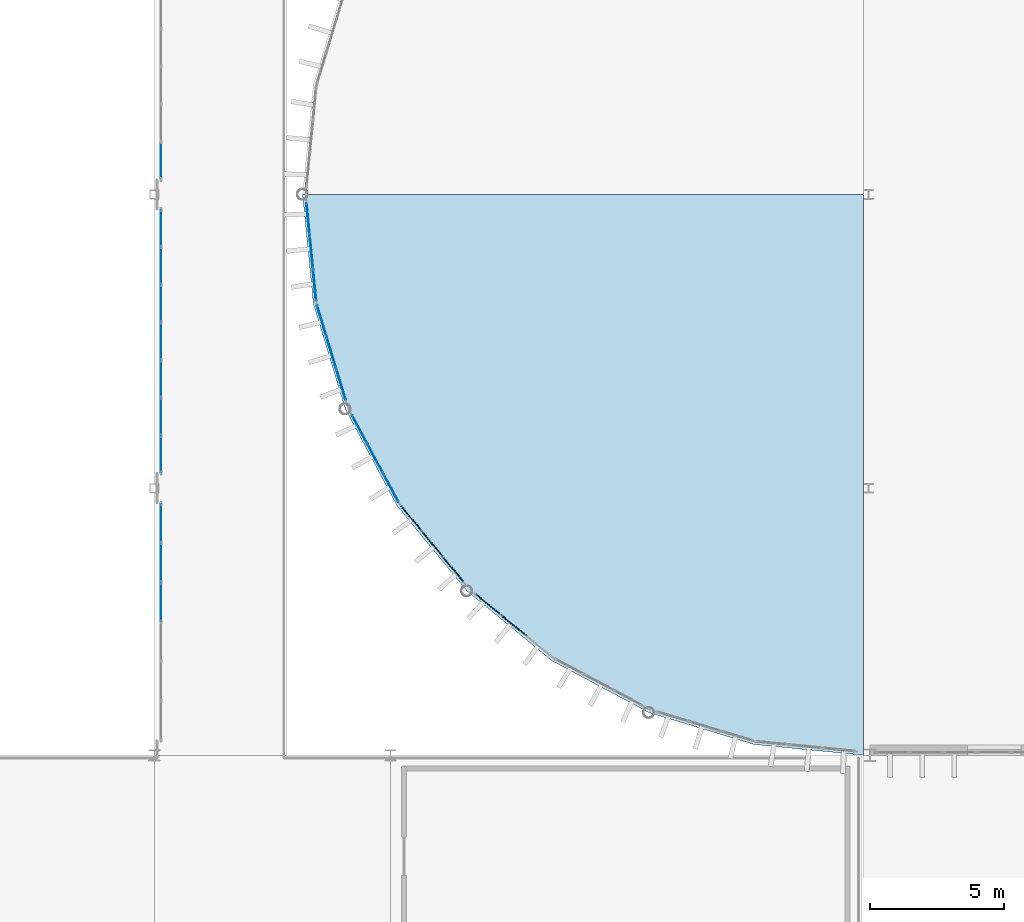
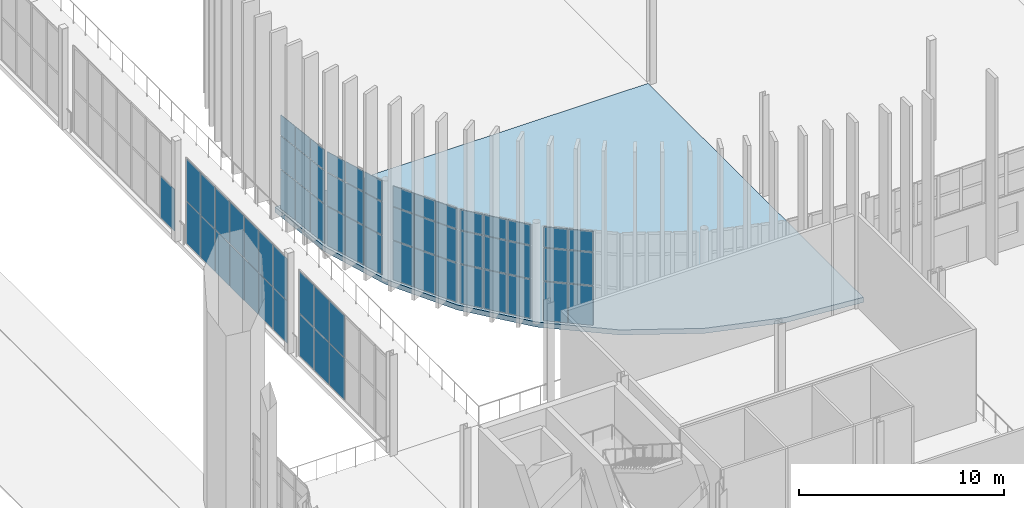
# One storey, part 75 of 139: 63 plates, 1 slab, 8 elements without a shape of their own.
"""IFC4 building model written with IfcOpenShell, lengths in metres."""

import ifcopenshell
import ifcopenshell.guid

model = None  # the IFC model being written
_history = None  # IfcOwnerHistory: only IFC2X3 demands one
_inside = {}  # id of a spatial element -> (the spatial element, [elements in it])
_under = {}  # id of a project, library or spatial element -> (it, [spatial elements below it])
_declared = {}  # id of a project -> (the project, [libraries it declares])
_typed = {}  # id of a type object -> (the type object, [elements of that type])
_made_of = {}  # id of a material, layer set ... -> (it, [elements and type objects made of it])


def new_model(schema):
    """Start an empty IFC model of exactly this schema.

    Asked for "IFC4X3", IfcOpenShell would pick the latest addendum, in which some entities
    have other attributes; the version numbers below select the first issue.
    IFC2X3 requires an IfcOwnerHistory on every rooted entity: one is made here for all.
    """
    global model, _history
    if schema == "IFC4X3":
        model = ifcopenshell.file(schema_version=(4, 3, 0, 0))
    else:
        model = ifcopenshell.file(schema=schema)
    _inside.clear()
    _under.clear()
    _declared.clear()
    _typed.clear()
    _made_of.clear()
    _history = None
    if model.schema == "IFC2X3":
        org = make("IfcOrganization", Name="unknown")
        user = make(
            "IfcPersonAndOrganization",
            ThePerson=make("IfcPerson", FamilyName="unknown"),
            TheOrganization=org,
        )
        app = make(
            "IfcApplication",
            ApplicationDeveloper=org,
            Version="unknown",
            ApplicationFullName="unknown",
            ApplicationIdentifier="unknown",
        )
        _history = make(
            "IfcOwnerHistory",
            OwningUser=user,
            OwningApplication=app,
            ChangeAction="ADDED",
            CreationDate=0,
        )
    return model


def make(cls, **values):
    """One entity of the class cls with the attributes given. An attribute that is None is left unset."""
    return model.create_entity(
        cls, **{name: value for name, value in values.items() if value is not None}
    )


def rooted(cls, **values):
    """An entity with a GlobalId (a new one), such as an element, a storey or a relation."""
    return make(cls, GlobalId=ifcopenshell.guid.new(), OwnerHistory=_history, **values)


def si_unit(unit_type, name, prefix=None):
    """IfcSIUnit, for example si_unit("LENGTHUNIT", "METRE", prefix="MILLI")."""
    return make("IfcSIUnit", UnitType=unit_type, Prefix=prefix, Name=name)


def assignment(units):
    """IfcUnitAssignment: the units of a project."""
    return None if units is None else make("IfcUnitAssignment", Units=units)


def point(xyz):
    """IfcCartesianPoint."""
    return None if xyz is None else make("IfcCartesianPoint", Coordinates=xyz)


def direction(xyz):
    """IfcDirection."""
    return None if xyz is None else make("IfcDirection", DirectionRatios=xyz)


def frame(location, z_axis=None, x_axis=None):
    """IfcAxis2Placement3D, a coordinate frame: its origin and axes. An axis left out is left unset."""
    return make(
        "IfcAxis2Placement3D",
        Location=point(location),
        Axis=direction(z_axis),
        RefDirection=direction(x_axis),
    )


def frame_2d(location, x_axis=None):
    """IfcAxis2Placement2D, a coordinate frame in the plane: its origin and x axis."""
    return make(
        "IfcAxis2Placement2D", Location=point(location), RefDirection=direction(x_axis)
    )


def origin():
    """The frame at (0, 0, 0) with its axes left unset."""
    return frame((0.0, 0.0, 0.0))


def origin_2d():
    """The frame at (0, 0) in the plane with its x axis left unset."""
    return frame_2d((0.0, 0.0))


def place(relative_to, where):
    """IfcLocalPlacement: puts the frame where relative to a parent placement (None: the world)."""
    return make(
        "IfcLocalPlacement", PlacementRelTo=relative_to, RelativePlacement=where
    )


def context(
    kind, dimensions, precision=None, world=None, true_north=None, identifier=None
):
    """IfcGeometricRepresentationContext, for example the 3D "Model" context."""
    return make(
        "IfcGeometricRepresentationContext",
        ContextIdentifier=identifier,
        ContextType=kind,
        CoordinateSpaceDimension=dimensions,
        Precision=precision,
        WorldCoordinateSystem=world,
        TrueNorth=true_north,
    )


def subcontext(parent, identifier, kind, view, scale=None):
    """IfcGeometricRepresentationSubContext, for example "Body" below "Model"."""
    return make(
        "IfcGeometricRepresentationSubContext",
        ContextIdentifier=identifier,
        ContextType=kind,
        ParentContext=parent,
        TargetScale=scale,
        TargetView=view,
    )


def project(units=None, contexts=None):
    """IfcProject with its units and contexts."""
    return rooted(
        "IfcProject",
        Name="project",
        RepresentationContexts=contexts,
        UnitsInContext=assignment(units),
    )


def spatial(cls, under=None, at=None, **own):
    """A site, building, storey or space (cls), placed at a placement, below another one or the project."""
    s = rooted(cls, ObjectPlacement=at, **own)
    if under is not None:
        _under.setdefault(under.id(), (under, []))[1].append(s)
    return s


def polyline(points):
    """IfcPolyline through the points."""
    return make("IfcPolyline", Points=[point(p) for p in points])


def profile(cls, at=None, kind="AREA", **sizes):
    """A parametric profile (cls). Its sizes go by their IFC names, for example OverallWidth=200.0."""
    return make(cls, ProfileType=kind, Position=at, **sizes)


def rectangle(**sizes):
    """IfcRectangleProfileDef."""
    return profile("IfcRectangleProfileDef", **sizes)


def outline(outer, holes=None, kind="AREA"):
    """IfcArbitraryClosedProfileDef: a profile drawn as a closed curve; with holes, ...WithVoids."""
    if holes is None:
        return make("IfcArbitraryClosedProfileDef", ProfileType=kind, OuterCurve=outer)
    return make(
        "IfcArbitraryProfileDefWithVoids",
        ProfileType=kind,
        OuterCurve=outer,
        InnerCurves=holes,
    )


def extrude(swept, where, along, depth):
    """IfcExtrudedAreaSolid: the profile swept, set in the frame where, extruded along a direction by depth."""
    return make(
        "IfcExtrudedAreaSolid",
        SweptArea=swept,
        Position=where,
        ExtrudedDirection=direction(along),
        Depth=depth,
    )


def shape(context_of_items, identifier, shape_type, items):
    """IfcShapeRepresentation: the items that make up one representation, for example the "Body"."""
    return make(
        "IfcShapeRepresentation",
        ContextOfItems=context_of_items,
        RepresentationIdentifier=identifier,
        RepresentationType=shape_type,
        Items=items,
    )


def material(Name=None, Category=None):
    """IfcMaterial."""
    return make("IfcMaterial", Name=Name, Category=Category)


def layer(
    of_material, thickness, ventilated=None, Name=None, Category=None, Priority=None
):
    """IfcMaterialLayer: one layer of a wall or slab, of a material (None: an air gap)."""
    return make(
        "IfcMaterialLayer",
        Material=of_material,
        LayerThickness=thickness,
        IsVentilated=ventilated,
        Name=Name,
        Category=Category,
        Priority=Priority,
    )


def layer_set(layers, Name=None):
    """IfcMaterialLayerSet."""
    return make("IfcMaterialLayerSet", MaterialLayers=layers, LayerSetName=Name)


def made_of(thing, what):
    """Note that an element or type object is made of a material, layer set ...; save() writes the relation."""
    if what is not None:
        _made_of.setdefault(what.id(), (what, []))[1].append(thing)
    return thing


def type_object(cls, material=None, **own):
    """A type object (cls), such as IfcWallType, which elements share."""
    return made_of(rooted(cls, **own), material)


def element(
    cls,
    number,
    at=None,
    inside=None,
    cuts=None,
    type_object=None,
    material=None,
    context=None,
    identifier="Body",
    shape_type=None,
    held_by="IfcProductDefinitionShape",
    body=None,
    shapes=None,
    **own,
):
    """One element of the class cls, such as IfcWall. Its Tag is "e" and its number.

    at: its placement. inside: the storey or other place that contains it. cuts: it is an
    opening in that element (IfcRelVoidsElement). A single representation is given by context,
    identifier, shape_type and body (its items); several are given by shapes. held_by: the class
    of the entity that holds the representations. save() writes the other relations.
    """
    e = rooted(cls, Tag="e%d" % number, ObjectPlacement=at, **own)
    if body is not None:
        shapes = [shape(context, identifier, shape_type, body)]
    if shapes is not None:
        e.Representation = make(held_by, Representations=shapes)
    if inside is not None:
        _inside.setdefault(inside.id(), (inside, []))[1].append(e)
    if cuts is not None:
        rooted(
            "IfcRelVoidsElement", RelatingBuildingElement=cuts, RelatedOpeningElement=e
        )
    if type_object is not None:
        _typed.setdefault(type_object.id(), (type_object, []))[1].append(e)
    return made_of(e, material)


def aggregate(whole, parts):
    """IfcRelAggregates: a whole, such as a stair, and the parts it consists of."""
    return rooted("IfcRelAggregates", RelatingObject=whole, RelatedObjects=parts)


def save(model, path):
    """Write the relations noted so far, then the file.

    IfcRelAggregates (storeys below a building ...), IfcRelContainedInSpatialStructure (elements
    in a storey), IfcRelDefinesByType, IfcRelAssociatesMaterial and IfcRelDeclares: one each for
    every whole, place, type object, material and project.
    """
    for whole, parts in _under.values():
        aggregate(whole, parts)
    for where, things in _inside.values():
        rooted(
            "IfcRelContainedInSpatialStructure",
            RelatedElements=things,
            RelatingStructure=where,
        )
    for kind, things in _typed.values():
        rooted("IfcRelDefinesByType", RelatedObjects=things, RelatingType=kind)
    for what, things in _made_of.values():
        rooted("IfcRelAssociatesMaterial", RelatedObjects=things, RelatingMaterial=what)
    for by, libraries in _declared.values():
        rooted("IfcRelDeclares", RelatingContext=by, RelatedDefinitions=libraries)
    model.write(path)


model = new_model("IFC4")

# Units and contexts
model_context = context("Model", 3, precision=1e-05, world=origin(), true_north=direction((0.0, 1.0)))
body_context = subcontext(model_context, "Body", "Model", "MODEL_VIEW")
ifc_project = project(units=[si_unit("LENGTHUNIT", "METRE"), si_unit("AREAUNIT", "SQUARE_METRE"), si_unit("VOLUMEUNIT", "CUBIC_METRE"), si_unit("PLANEANGLEUNIT", "RADIAN"), si_unit("MASSUNIT", "GRAM", prefix="KILO")], contexts=[model_context])

# Site, building, storey
site_placement = place(None, origin())
site = spatial("IfcSite", under=ifc_project, at=site_placement, CompositionType="ELEMENT")
building_placement = place(site_placement, origin())
building = spatial("IfcBuilding", under=site, at=building_placement, Name="Yeouljin Market Hall", CompositionType="ELEMENT")
storey_placement = place(building_placement, origin())
storey = spatial("IfcBuildingStorey", under=building, at=storey_placement, Name="L00", CompositionType="ELEMENT", Elevation=0.0)

# Curtain wall, plates
ifc_material_1 = material(Name="Thermally Broken Aluminium", Category="aluminium")
ifc_layer_1 = layer(ifc_material_1, 0.179931640625)
ifc_layer_set_1 = layer_set([ifc_layer_1], Name="Thermally Broken Aluminium")
curtain_wall_type_1 = type_object("IfcCurtainWallType", Name="CW_ApseCurved_System", PredefinedType="USERDEFINED", material=ifc_layer_set_1)
curtain_wall_1_placement = place(storey_placement, origin())
curtain_wall_1 = element("IfcCurtainWall", 1, at=curtain_wall_1_placement, inside=storey, type_object=curtain_wall_type_1, Name="Curtain wall CW-AP-WL00-04", ObjectType="CURTAIN WALL", PredefinedType="USERDEFINED")
ifc_material_2 = material(Name="Low-E Insulated Glass", Category="glass")
ifc_layer_2 = layer(ifc_material_2, 0.031982421875)
ifc_layer_set_2 = layer_set([ifc_layer_2], Name="Low-E Insulated Glass")
plate_type_1 = type_object("IfcPlateType", Name="CWPanel_AcousticGlass_32", PredefinedType="CURTAIN_PANEL", material=ifc_layer_set_2)
plate_1_placement = place(storey_placement, frame((22.310302734375, 40.861083984375, 0.0478515625), z_axis=(0.0, 0.0, 1.0), x_axis=(-0.773017717982, 0.634384432096, 0.0)))
plate_1 = element("IfcPlate", 2, at=plate_1_placement, type_object=plate_type_1, Name="CW-03 panel 2.1", PredefinedType="CURTAIN_PANEL", context=body_context, shape_type="SweptSolid", body=[
    extrude(rectangle(XDim=1.209716796875, YDim=0.031982421875, at=origin_2d()), origin(), (0.0, 0.0, 1.0), 2.327880859375),
])
plate_2_placement = place(storey_placement, frame((22.310302734375, 40.861083984375, 2.423828125), z_axis=(0.0, 0.0, 1.0), x_axis=(-0.773017717982, 0.634384432096, 0.0)))
plate_2 = element("IfcPlate", 3, at=plate_2_placement, type_object=plate_type_1, Name="CW-03 panel 2.2", PredefinedType="CURTAIN_PANEL", context=body_context, shape_type="SweptSolid", body=[
    extrude(rectangle(XDim=1.209716796875, YDim=0.031982421875, at=origin_2d()), origin(), (0.0, 0.0, 1.0), 1.951904296875),
])
plate_3_placement = place(storey_placement, frame((22.310302734375, 40.861083984375, 4.424072265625), z_axis=(0.0, 0.0, 1.0), x_axis=(-0.773017717982, 0.634384432096, 0.0)))
plate_3 = element("IfcPlate", 4, at=plate_3_placement, type_object=plate_type_1, Name="CW-03 panel 2.3", PredefinedType="CURTAIN_PANEL", context=body_context, shape_type="SweptSolid", body=[
    extrude(rectangle(XDim=1.209716796875, YDim=0.031982421875, at=origin_2d()), origin(), (0.0, 0.0, 1.0), 1.2080078125),
])
plate_4_placement = place(storey_placement, frame((21.347412109375, 41.6513671875, 0.0478515625), z_axis=(0.0, 0.0, 1.0), x_axis=(-0.773017717982, 0.634384432096, 0.0)))
plate_4 = element("IfcPlate", 5, at=plate_4_placement, type_object=plate_type_1, Name="CW-03 panel 3.1", PredefinedType="CURTAIN_PANEL", context=body_context, shape_type="SweptSolid", body=[
    extrude(rectangle(XDim=1.185791015625, YDim=0.031982421875, at=origin_2d()), origin(), (0.0, 0.0, 1.0), 2.327880859375),
])
plate_5_placement = place(storey_placement, frame((21.347412109375, 41.6513671875, 2.423828125), z_axis=(0.0, 0.0, 1.0), x_axis=(-0.773017717982, 0.634384432096, 0.0)))
plate_5 = element("IfcPlate", 6, at=plate_5_placement, type_object=plate_type_1, Name="CW-03 panel 3.2", PredefinedType="CURTAIN_PANEL", context=body_context, shape_type="SweptSolid", body=[
    extrude(rectangle(XDim=1.185791015625, YDim=0.031982421875, at=origin_2d()), origin(), (0.0, 0.0, 1.0), 1.951904296875),
])
plate_6_placement = place(storey_placement, frame((21.347412109375, 41.6513671875, 4.424072265625), z_axis=(0.0, 0.0, 1.0), x_axis=(-0.773017717982, 0.634384432096, 0.0)))
plate_6 = element("IfcPlate", 7, at=plate_6_placement, type_object=plate_type_1, Name="CW-03 panel 3.3", PredefinedType="CURTAIN_PANEL", context=body_context, shape_type="SweptSolid", body=[
    extrude(rectangle(XDim=1.185791015625, YDim=0.031982421875, at=origin_2d()), origin(), (0.0, 0.0, 1.0), 1.2080078125),
])
aggregate(curtain_wall_1, [plate_1, plate_2, plate_3, plate_4, plate_5, plate_6])

curtain_wall_2_placement = place(storey_placement, origin())
curtain_wall_2 = element("IfcCurtainWall", 8, at=curtain_wall_2_placement, inside=storey, type_object=curtain_wall_type_1, Name="Curtain wall CW-AP-WL00-05", ObjectType="CURTAIN WALL", PredefinedType="USERDEFINED")
plate_7_placement = place(storey_placement, frame((20.051513671875, 42.947509765625, 0.0478515625), z_axis=(0.0, 0.0, 1.0), x_axis=(-0.634384432096, 0.773017717982, 0.0)))
plate_7 = element("IfcPlate", 9, at=plate_7_placement, type_object=plate_type_1, Name="CW-03 panel 1.1", PredefinedType="CURTAIN_PANEL", context=body_context, shape_type="SweptSolid", body=[
    extrude(rectangle(XDim=1.185791015625, YDim=0.031982421875, at=origin_2d()), origin(), (0.0, 0.0, 1.0), 2.327880859375),
])
plate_8_placement = place(storey_placement, frame((20.051513671875, 42.947509765625, 2.423828125), z_axis=(0.0, 0.0, 1.0), x_axis=(-0.634384432096, 0.773017717982, 0.0)))
plate_8 = element("IfcPlate", 10, at=plate_8_placement, type_object=plate_type_1, Name="CW-03 panel 1.2", PredefinedType="CURTAIN_PANEL", context=body_context, shape_type="SweptSolid", body=[
    extrude(rectangle(XDim=1.185791015625, YDim=0.031982421875, at=origin_2d()), origin(), (0.0, 0.0, 1.0), 1.951904296875),
])
plate_9_placement = place(storey_placement, frame((20.051513671875, 42.947509765625, 4.424072265625), z_axis=(0.0, 0.0, 1.0), x_axis=(-0.634384432096, 0.773017717982, 0.0)))
plate_9 = element("IfcPlate", 11, at=plate_9_placement, type_object=plate_type_1, Name="CW-03 panel 1.3", PredefinedType="CURTAIN_PANEL", context=body_context, shape_type="SweptSolid", body=[
    extrude(rectangle(XDim=1.185791015625, YDim=0.031982421875, at=origin_2d()), origin(), (0.0, 0.0, 1.0), 1.2080078125),
])
plate_10_placement = place(storey_placement, frame((19.26123046875, 43.910400390625, 0.0478515625), z_axis=(0.0, 0.0, 1.0), x_axis=(-0.634384432096, 0.773017717982, 0.0)))
plate_10 = element("IfcPlate", 12, at=plate_10_placement, type_object=plate_type_1, Name="CW-03 panel 2.1", PredefinedType="CURTAIN_PANEL", context=body_context, shape_type="SweptSolid", body=[
    extrude(rectangle(XDim=1.209716796875, YDim=0.031982421875, at=origin_2d()), origin(), (0.0, 0.0, 1.0), 2.327880859375),
])
plate_11_placement = place(storey_placement, frame((19.26123046875, 43.910400390625, 2.423828125), z_axis=(0.0, 0.0, 1.0), x_axis=(-0.634384432096, 0.773017717982, 0.0)))
plate_11 = element("IfcPlate", 13, at=plate_11_placement, type_object=plate_type_1, Name="CW-03 panel 2.2", PredefinedType="CURTAIN_PANEL", context=body_context, shape_type="SweptSolid", body=[
    extrude(rectangle(XDim=1.209716796875, YDim=0.031982421875, at=origin_2d()), origin(), (0.0, 0.0, 1.0), 1.951904296875),
])
plate_12_placement = place(storey_placement, frame((19.26123046875, 43.910400390625, 4.424072265625), z_axis=(0.0, 0.0, 1.0), x_axis=(-0.634384432096, 0.773017717982, 0.0)))
plate_12 = element("IfcPlate", 14, at=plate_12_placement, type_object=plate_type_1, Name="CW-03 panel 2.3", PredefinedType="CURTAIN_PANEL", context=body_context, shape_type="SweptSolid", body=[
    extrude(rectangle(XDim=1.209716796875, YDim=0.031982421875, at=origin_2d()), origin(), (0.0, 0.0, 1.0), 1.2080078125),
])
plate_13_placement = place(storey_placement, frame((18.470947265625, 44.873291015625, 0.0478515625), z_axis=(0.0, 0.0, 1.0), x_axis=(-0.634384432096, 0.773017717982, 0.0)))
plate_13 = element("IfcPlate", 15, at=plate_13_placement, type_object=plate_type_1, Name="CW-03 panel 3.1", PredefinedType="CURTAIN_PANEL", context=body_context, shape_type="SweptSolid", body=[
    extrude(rectangle(XDim=1.185791015625, YDim=0.031982421875, at=origin_2d()), origin(), (0.0, 0.0, 1.0), 2.327880859375),
])
plate_14_placement = place(storey_placement, frame((18.470947265625, 44.873291015625, 2.423828125), z_axis=(0.0, 0.0, 1.0), x_axis=(-0.634384432096, 0.773017717982, 0.0)))
plate_14 = element("IfcPlate", 16, at=plate_14_placement, type_object=plate_type_1, Name="CW-03 panel 3.2", PredefinedType="CURTAIN_PANEL", context=body_context, shape_type="SweptSolid", body=[
    extrude(rectangle(XDim=1.185791015625, YDim=0.031982421875, at=origin_2d()), origin(), (0.0, 0.0, 1.0), 1.951904296875),
])
plate_15_placement = place(storey_placement, frame((18.470947265625, 44.873291015625, 4.424072265625), z_axis=(0.0, 0.0, 1.0), x_axis=(-0.634384432096, 0.773017717982, 0.0)))
plate_15 = element("IfcPlate", 17, at=plate_15_placement, type_object=plate_type_1, Name="CW-03 panel 3.3", PredefinedType="CURTAIN_PANEL", context=body_context, shape_type="SweptSolid", body=[
    extrude(rectangle(XDim=1.185791015625, YDim=0.031982421875, at=origin_2d()), origin(), (0.0, 0.0, 1.0), 1.2080078125),
])
aggregate(curtain_wall_2, [plate_7, plate_8, plate_9, plate_10, plate_11, plate_12, plate_13, plate_14, plate_15])

curtain_wall_3_placement = place(storey_placement, origin())
curtain_wall_3 = element("IfcCurtainWall", 18, at=curtain_wall_3_placement, inside=storey, type_object=curtain_wall_type_1, Name="Curtain wall CW-AP-WL00-06", ObjectType="CURTAIN WALL", PredefinedType="USERDEFINED")
plate_16_placement = place(storey_placement, frame((17.718017578125, 46.000244140625, 0.0478515625), z_axis=(0.0, 0.0, 1.0), x_axis=(-0.471377626598, 0.881931478712, 0.0)))
plate_16 = element("IfcPlate", 19, at=plate_16_placement, type_object=plate_type_1, Name="CW-03 panel 1.1", PredefinedType="CURTAIN_PANEL", context=body_context, shape_type="SweptSolid", body=[
    extrude(rectangle(XDim=1.185791015625, YDim=0.031982421875, at=origin_2d()), origin(), (0.0, 0.0, 1.0), 2.327880859375),
])
plate_17_placement = place(storey_placement, frame((17.718017578125, 46.000244140625, 2.423828125), z_axis=(0.0, 0.0, 1.0), x_axis=(-0.471377626598, 0.881931478712, 0.0)))
plate_17 = element("IfcPlate", 20, at=plate_17_placement, type_object=plate_type_1, Name="CW-03 panel 1.2", PredefinedType="CURTAIN_PANEL", context=body_context, shape_type="SweptSolid", body=[
    extrude(rectangle(XDim=1.185791015625, YDim=0.031982421875, at=origin_2d()), origin(), (0.0, 0.0, 1.0), 1.951904296875),
])
plate_18_placement = place(storey_placement, frame((17.718017578125, 46.000244140625, 4.424072265625), z_axis=(0.0, 0.0, 1.0), x_axis=(-0.471377626598, 0.881931478712, 0.0)))
plate_18 = element("IfcPlate", 21, at=plate_18_placement, type_object=plate_type_1, Name="CW-03 panel 1.3", PredefinedType="CURTAIN_PANEL", context=body_context, shape_type="SweptSolid", body=[
    extrude(rectangle(XDim=1.185791015625, YDim=0.031982421875, at=origin_2d()), origin(), (0.0, 0.0, 1.0), 1.2080078125),
])
plate_19_placement = place(storey_placement, frame((17.130615234375, 47.098876953125, 0.0478515625), z_axis=(0.0, 0.0, 1.0), x_axis=(-0.471377626598, 0.881931478712, 0.0)))
plate_19 = element("IfcPlate", 22, at=plate_19_placement, type_object=plate_type_1, Name="CW-03 panel 2.1", PredefinedType="CURTAIN_PANEL", context=body_context, shape_type="SweptSolid", body=[
    extrude(rectangle(XDim=1.209716796875, YDim=0.031982421875, at=origin_2d()), origin(), (0.0, 0.0, 1.0), 2.327880859375),
])
plate_20_placement = place(storey_placement, frame((17.130615234375, 47.098876953125, 2.423828125), z_axis=(0.0, 0.0, 1.0), x_axis=(-0.471377626598, 0.881931478712, 0.0)))
plate_20 = element("IfcPlate", 23, at=plate_20_placement, type_object=plate_type_1, Name="CW-03 panel 2.2", PredefinedType="CURTAIN_PANEL", context=body_context, shape_type="SweptSolid", body=[
    extrude(rectangle(XDim=1.209716796875, YDim=0.031982421875, at=origin_2d()), origin(), (0.0, 0.0, 1.0), 1.951904296875),
])
plate_21_placement = place(storey_placement, frame((17.130615234375, 47.098876953125, 4.424072265625), z_axis=(0.0, 0.0, 1.0), x_axis=(-0.471377626598, 0.881931478712, 0.0)))
plate_21 = element("IfcPlate", 24, at=plate_21_placement, type_object=plate_type_1, Name="CW-03 panel 2.3", PredefinedType="CURTAIN_PANEL", context=body_context, shape_type="SweptSolid", body=[
    extrude(rectangle(XDim=1.209716796875, YDim=0.031982421875, at=origin_2d()), origin(), (0.0, 0.0, 1.0), 1.2080078125),
])
plate_22_placement = place(storey_placement, frame((16.54345703125, 48.197509765625, 0.0478515625), z_axis=(0.0, 0.0, 1.0), x_axis=(-0.471377626598, 0.881931478712, 0.0)))
plate_22 = element("IfcPlate", 25, at=plate_22_placement, type_object=plate_type_1, Name="CW-03 panel 3.1", PredefinedType="CURTAIN_PANEL", context=body_context, shape_type="SweptSolid", body=[
    extrude(rectangle(XDim=1.185791015625, YDim=0.031982421875, at=origin_2d()), origin(), (0.0, 0.0, 1.0), 2.327880859375),
])
plate_23_placement = place(storey_placement, frame((16.54345703125, 48.197509765625, 2.423828125), z_axis=(0.0, 0.0, 1.0), x_axis=(-0.471377626598, 0.881931478712, 0.0)))
plate_23 = element("IfcPlate", 26, at=plate_23_placement, type_object=plate_type_1, Name="CW-03 panel 3.2", PredefinedType="CURTAIN_PANEL", context=body_context, shape_type="SweptSolid", body=[
    extrude(rectangle(XDim=1.185791015625, YDim=0.031982421875, at=origin_2d()), origin(), (0.0, 0.0, 1.0), 1.951904296875),
])
plate_24_placement = place(storey_placement, frame((16.54345703125, 48.197509765625, 4.424072265625), z_axis=(0.0, 0.0, 1.0), x_axis=(-0.471377626598, 0.881931478712, 0.0)))
plate_24 = element("IfcPlate", 27, at=plate_24_placement, type_object=plate_type_1, Name="CW-03 panel 3.3", PredefinedType="CURTAIN_PANEL", context=body_context, shape_type="SweptSolid", body=[
    extrude(rectangle(XDim=1.185791015625, YDim=0.031982421875, at=origin_2d()), origin(), (0.0, 0.0, 1.0), 1.2080078125),
])
aggregate(curtain_wall_3, [plate_16, plate_17, plate_18, plate_19, plate_20, plate_21, plate_22, plate_23, plate_24])

curtain_wall_4_placement = place(storey_placement, origin())
curtain_wall_4 = element("IfcCurtainWall", 28, at=curtain_wall_4_placement, inside=storey, type_object=curtain_wall_type_1, Name="Curtain wall CW-AP-WL00-07", ObjectType="CURTAIN WALL", PredefinedType="USERDEFINED")
plate_25_placement = place(storey_placement, frame((15.842041015625, 49.890869140625, 0.0478515625), z_axis=(0.0, 0.0, 1.0), x_axis=(-0.290286164863, 0.95693988447, 0.0)))
plate_25 = element("IfcPlate", 29, at=plate_25_placement, type_object=plate_type_1, Name="CW-03 panel 1.1", PredefinedType="CURTAIN_PANEL", context=body_context, shape_type="SweptSolid", body=[
    extrude(rectangle(XDim=1.185791015625, YDim=0.031982421875, at=origin_2d()), origin(), (0.0, 0.0, 1.0), 2.327880859375),
])
plate_26_placement = place(storey_placement, frame((15.842041015625, 49.890869140625, 2.423828125), z_axis=(0.0, 0.0, 1.0), x_axis=(-0.290286164863, 0.95693988447, 0.0)))
plate_26 = element("IfcPlate", 30, at=plate_26_placement, type_object=plate_type_1, Name="CW-03 panel 1.2", PredefinedType="CURTAIN_PANEL", context=body_context, shape_type="SweptSolid", body=[
    extrude(rectangle(XDim=1.185791015625, YDim=0.031982421875, at=origin_2d()), origin(), (0.0, 0.0, 1.0), 1.951904296875),
])
plate_27_placement = place(storey_placement, frame((15.842041015625, 49.890869140625, 4.424072265625), z_axis=(0.0, 0.0, 1.0), x_axis=(-0.290286164863, 0.95693988447, 0.0)))
plate_27 = element("IfcPlate", 31, at=plate_27_placement, type_object=plate_type_1, Name="CW-03 panel 1.3", PredefinedType="CURTAIN_PANEL", context=body_context, shape_type="SweptSolid", body=[
    extrude(rectangle(XDim=1.185791015625, YDim=0.031982421875, at=origin_2d()), origin(), (0.0, 0.0, 1.0), 1.2080078125),
])
plate_28_placement = place(storey_placement, frame((15.48046875, 51.082763671875, 0.0478515625), z_axis=(0.0, 0.0, 1.0), x_axis=(-0.290286164863, 0.95693988447, 0.0)))
plate_28 = element("IfcPlate", 32, at=plate_28_placement, type_object=plate_type_1, Name="CW-03 panel 2.1", PredefinedType="CURTAIN_PANEL", context=body_context, shape_type="SweptSolid", body=[
    extrude(rectangle(XDim=1.209716796875, YDim=0.031982421875, at=origin_2d()), origin(), (0.0, 0.0, 1.0), 2.327880859375),
])
plate_29_placement = place(storey_placement, frame((15.48046875, 51.082763671875, 2.423828125), z_axis=(0.0, 0.0, 1.0), x_axis=(-0.290286164863, 0.95693988447, 0.0)))
plate_29 = element("IfcPlate", 33, at=plate_29_placement, type_object=plate_type_1, Name="CW-03 panel 2.2", PredefinedType="CURTAIN_PANEL", context=body_context, shape_type="SweptSolid", body=[
    extrude(rectangle(XDim=1.209716796875, YDim=0.031982421875, at=origin_2d()), origin(), (0.0, 0.0, 1.0), 1.951904296875),
])
plate_30_placement = place(storey_placement, frame((15.48046875, 51.082763671875, 4.424072265625), z_axis=(0.0, 0.0, 1.0), x_axis=(-0.290286164863, 0.95693988447, 0.0)))
plate_30 = element("IfcPlate", 34, at=plate_30_placement, type_object=plate_type_1, Name="CW-03 panel 2.3", PredefinedType="CURTAIN_PANEL", context=body_context, shape_type="SweptSolid", body=[
    extrude(rectangle(XDim=1.209716796875, YDim=0.031982421875, at=origin_2d()), origin(), (0.0, 0.0, 1.0), 1.2080078125),
])
plate_31_placement = place(storey_placement, frame((15.118896484375, 52.27490234375, 0.0478515625), z_axis=(0.0, 0.0, 1.0), x_axis=(-0.290286164863, 0.95693988447, 0.0)))
plate_31 = element("IfcPlate", 35, at=plate_31_placement, type_object=plate_type_1, Name="CW-03 panel 3.1", PredefinedType="CURTAIN_PANEL", context=body_context, shape_type="SweptSolid", body=[
    extrude(rectangle(XDim=1.185791015625, YDim=0.031982421875, at=origin_2d()), origin(), (0.0, 0.0, 1.0), 2.327880859375),
])
plate_32_placement = place(storey_placement, frame((15.118896484375, 52.27490234375, 2.423828125), z_axis=(0.0, 0.0, 1.0), x_axis=(-0.290286164863, 0.95693988447, 0.0)))
plate_32 = element("IfcPlate", 36, at=plate_32_placement, type_object=plate_type_1, Name="CW-03 panel 3.2", PredefinedType="CURTAIN_PANEL", context=body_context, shape_type="SweptSolid", body=[
    extrude(rectangle(XDim=1.185791015625, YDim=0.031982421875, at=origin_2d()), origin(), (0.0, 0.0, 1.0), 1.951904296875),
])
plate_33_placement = place(storey_placement, frame((15.118896484375, 52.27490234375, 4.424072265625), z_axis=(0.0, 0.0, 1.0), x_axis=(-0.290286164863, 0.95693988447, 0.0)))
plate_33 = element("IfcPlate", 37, at=plate_33_placement, type_object=plate_type_1, Name="CW-03 panel 3.3", PredefinedType="CURTAIN_PANEL", context=body_context, shape_type="SweptSolid", body=[
    extrude(rectangle(XDim=1.185791015625, YDim=0.031982421875, at=origin_2d()), origin(), (0.0, 0.0, 1.0), 1.2080078125),
])
aggregate(curtain_wall_4, [plate_25, plate_26, plate_27, plate_28, plate_29, plate_30, plate_31, plate_32, plate_33])

curtain_wall_5_placement = place(storey_placement, origin())
curtain_wall_5 = element("IfcCurtainWall", 38, at=curtain_wall_5_placement, inside=storey, type_object=curtain_wall_type_1, Name="Curtain wall CW-AP-WL00-08", ObjectType="CURTAIN WALL", PredefinedType="USERDEFINED")
plate_34_placement = place(storey_placement, frame((14.8544921875, 53.60400390625, 0.0478515625), z_axis=(0.0, 0.0, 1.0), x_axis=(-0.09803414403, 0.995183051807, 0.0)))
plate_34 = element("IfcPlate", 39, at=plate_34_placement, type_object=plate_type_1, Name="CW-03 panel 1.1", PredefinedType="CURTAIN_PANEL", context=body_context, shape_type="SweptSolid", body=[
    extrude(rectangle(XDim=1.185791015625, YDim=0.031982421875, at=origin_2d()), origin(), (0.0, 0.0, 1.0), 2.327880859375),
])
plate_35_placement = place(storey_placement, frame((14.8544921875, 53.60400390625, 2.423828125), z_axis=(0.0, 0.0, 1.0), x_axis=(-0.09803414403, 0.995183051807, 0.0)))
plate_35 = element("IfcPlate", 40, at=plate_35_placement, type_object=plate_type_1, Name="CW-03 panel 1.2", PredefinedType="CURTAIN_PANEL", context=body_context, shape_type="SweptSolid", body=[
    extrude(rectangle(XDim=1.185791015625, YDim=0.031982421875, at=origin_2d()), origin(), (0.0, 0.0, 1.0), 1.951904296875),
])
plate_36_placement = place(storey_placement, frame((14.8544921875, 53.60400390625, 4.424072265625), z_axis=(0.0, 0.0, 1.0), x_axis=(-0.09803414403, 0.995183051807, 0.0)))
plate_36 = element("IfcPlate", 41, at=plate_36_placement, type_object=plate_type_1, Name="CW-03 panel 1.3", PredefinedType="CURTAIN_PANEL", context=body_context, shape_type="SweptSolid", body=[
    extrude(rectangle(XDim=1.185791015625, YDim=0.031982421875, at=origin_2d()), origin(), (0.0, 0.0, 1.0), 1.2080078125),
])
plate_37_placement = place(storey_placement, frame((14.732421875, 54.84375, 0.0478515625), z_axis=(0.0, 0.0, 1.0), x_axis=(-0.09803414403, 0.995183051807, 0.0)))
plate_37 = element("IfcPlate", 42, at=plate_37_placement, type_object=plate_type_1, Name="CW-03 panel 2.1", PredefinedType="CURTAIN_PANEL", context=body_context, shape_type="SweptSolid", body=[
    extrude(rectangle(XDim=1.209716796875, YDim=0.031982421875, at=origin_2d()), origin(), (0.0, 0.0, 1.0), 2.327880859375),
])
plate_38_placement = place(storey_placement, frame((14.732421875, 54.84375, 2.423828125), z_axis=(0.0, 0.0, 1.0), x_axis=(-0.09803414403, 0.995183051807, 0.0)))
plate_38 = element("IfcPlate", 43, at=plate_38_placement, type_object=plate_type_1, Name="CW-03 panel 2.2", PredefinedType="CURTAIN_PANEL", context=body_context, shape_type="SweptSolid", body=[
    extrude(rectangle(XDim=1.209716796875, YDim=0.031982421875, at=origin_2d()), origin(), (0.0, 0.0, 1.0), 1.951904296875),
])
plate_39_placement = place(storey_placement, frame((14.732421875, 54.84375, 4.424072265625), z_axis=(0.0, 0.0, 1.0), x_axis=(-0.09803414403, 0.995183051807, 0.0)))
plate_39 = element("IfcPlate", 44, at=plate_39_placement, type_object=plate_type_1, Name="CW-03 panel 2.3", PredefinedType="CURTAIN_PANEL", context=body_context, shape_type="SweptSolid", body=[
    extrude(rectangle(XDim=1.209716796875, YDim=0.031982421875, at=origin_2d()), origin(), (0.0, 0.0, 1.0), 1.2080078125),
])
plate_40_placement = place(storey_placement, frame((14.610107421875, 56.08349609375, 0.0478515625), z_axis=(0.0, 0.0, 1.0), x_axis=(-0.09803414403, 0.995183051807, 0.0)))
plate_40 = element("IfcPlate", 45, at=plate_40_placement, type_object=plate_type_1, Name="CW-03 panel 3.1", PredefinedType="CURTAIN_PANEL", context=body_context, shape_type="SweptSolid", body=[
    extrude(rectangle(XDim=1.185791015625, YDim=0.031982421875, at=origin_2d()), origin(), (0.0, 0.0, 1.0), 2.327880859375),
])
plate_41_placement = place(storey_placement, frame((14.610107421875, 56.08349609375, 2.423828125), z_axis=(0.0, 0.0, 1.0), x_axis=(-0.09803414403, 0.995183051807, 0.0)))
plate_41 = element("IfcPlate", 46, at=plate_41_placement, type_object=plate_type_1, Name="CW-03 panel 3.2", PredefinedType="CURTAIN_PANEL", context=body_context, shape_type="SweptSolid", body=[
    extrude(rectangle(XDim=1.185791015625, YDim=0.031982421875, at=origin_2d()), origin(), (0.0, 0.0, 1.0), 1.951904296875),
])
plate_42_placement = place(storey_placement, frame((14.610107421875, 56.08349609375, 4.424072265625), z_axis=(0.0, 0.0, 1.0), x_axis=(-0.09803414403, 0.995183051807, 0.0)))
plate_42 = element("IfcPlate", 47, at=plate_42_placement, type_object=plate_type_1, Name="CW-03 panel 3.3", PredefinedType="CURTAIN_PANEL", context=body_context, shape_type="SweptSolid", body=[
    extrude(rectangle(XDim=1.185791015625, YDim=0.031982421875, at=origin_2d()), origin(), (0.0, 0.0, 1.0), 1.2080078125),
])
aggregate(curtain_wall_5, [plate_34, plate_35, plate_36, plate_37, plate_38, plate_39, plate_40, plate_41, plate_42])

ifc_material_3 = material(Name="Thermally Broken Aluminium", Category="aluminium")
ifc_layer_3 = layer(ifc_material_3, 0.14990234375)
ifc_layer_set_3 = layer_set([ifc_layer_3], Name="Thermally Broken Aluminium")
curtain_wall_type_2 = type_object("IfcCurtainWallType", Name="CW_WingStorefront_System", PredefinedType="USERDEFINED", material=ifc_layer_set_3)
curtain_wall_6_placement = place(storey_placement, origin())
curtain_wall_6 = element("IfcCurtainWall", 48, at=curtain_wall_6_placement, inside=storey, type_object=curtain_wall_type_2, Name="Curtain wall CW-CRT-L00-05", ObjectType="CURTAIN WALL", PredefinedType="USERDEFINED")
ifc_material_4 = material(Name="Low-E Insulated Glass", Category="glass")
ifc_layer_4 = layer(ifc_material_4, 0.028076171875)
ifc_layer_set_4 = layer_set([ifc_layer_4], Name="Low-E Insulated Glass")
plate_type_2 = type_object("IfcPlateType", Name="CWPanel_LowE_28", PredefinedType="CURTAIN_PANEL", material=ifc_layer_set_4)
plate_43_placement = place(storey_placement, frame((9.10009765625, 41.74169921875, 0.0478515625), z_axis=(0.0, 0.0, 1.0), x_axis=(0.0, 1.0, 0.0)))
plate_43 = element("IfcPlate", 49, at=plate_43_placement, type_object=plate_type_2, Name="CW-04 panel 4.1", PredefinedType="CURTAIN_PANEL", context=body_context, shape_type="SweptSolid", body=[
    extrude(rectangle(XDim=1.435302734375, YDim=0.028076171875, at=origin_2d()), origin(), (0.0, 0.0, 1.0), 2.488037109375),
])
plate_44_placement = place(storey_placement, frame((9.10009765625, 41.74169921875, 2.583984375), z_axis=(0.0, 0.0, 1.0), x_axis=(0.0, 1.0, 0.0)))
plate_44 = element("IfcPlate", 50, at=plate_44_placement, type_object=plate_type_2, Name="CW-04 panel 4.2", PredefinedType="CURTAIN_PANEL", context=body_context, shape_type="SweptSolid", body=[
    extrude(rectangle(XDim=1.435302734375, YDim=0.028076171875, at=origin_2d()), origin(), (0.0, 0.0, 1.0), 2.488037109375),
])
plate_45_placement = place(storey_placement, frame((9.10009765625, 43.22509765625, 0.0478515625), z_axis=(0.0, 0.0, 1.0), x_axis=(0.0, 1.0, 0.0)))
plate_45 = element("IfcPlate", 51, at=plate_45_placement, type_object=plate_type_2, Name="CW-04 panel 5.1", PredefinedType="CURTAIN_PANEL", context=body_context, shape_type="SweptSolid", body=[
    extrude(rectangle(XDim=1.435302734375, YDim=0.028076171875, at=origin_2d()), origin(), (0.0, 0.0, 1.0), 2.488037109375),
])
plate_46_placement = place(storey_placement, frame((9.10009765625, 43.22509765625, 2.583984375), z_axis=(0.0, 0.0, 1.0), x_axis=(0.0, 1.0, 0.0)))
plate_46 = element("IfcPlate", 52, at=plate_46_placement, type_object=plate_type_2, Name="CW-04 panel 5.2", PredefinedType="CURTAIN_PANEL", context=body_context, shape_type="SweptSolid", body=[
    extrude(rectangle(XDim=1.435302734375, YDim=0.028076171875, at=origin_2d()), origin(), (0.0, 0.0, 1.0), 2.488037109375),
])
plate_47_placement = place(storey_placement, frame((9.10009765625, 44.6962890625, 0.0478515625), z_axis=(0.0, 0.0, 1.0), x_axis=(0.0, 1.0, 0.0)))
plate_47 = element("IfcPlate", 53, at=plate_47_placement, type_object=plate_type_2, Name="CW-04 panel 6.1", PredefinedType="CURTAIN_PANEL", context=body_context, shape_type="SweptSolid", body=[
    extrude(rectangle(XDim=1.411376953125, YDim=0.028076171875, at=origin_2d()), origin(), (0.0, 0.0, 1.0), 2.488037109375),
])
plate_48_placement = place(storey_placement, frame((9.10009765625, 44.6962890625, 2.583984375), z_axis=(0.0, 0.0, 1.0), x_axis=(0.0, 1.0, 0.0)))
plate_48 = element("IfcPlate", 54, at=plate_48_placement, type_object=plate_type_2, Name="CW-04 panel 6.2", PredefinedType="CURTAIN_PANEL", context=body_context, shape_type="SweptSolid", body=[
    extrude(rectangle(XDim=1.411376953125, YDim=0.028076171875, at=origin_2d()), origin(), (0.0, 0.0, 1.0), 2.488037109375),
])
aggregate(curtain_wall_6, [plate_43, plate_44, plate_45, plate_46, plate_47, plate_48])

curtain_wall_7_placement = place(storey_placement, origin())
curtain_wall_7 = element("IfcCurtainWall", 55, at=curtain_wall_7_placement, inside=storey, type_object=curtain_wall_type_2, Name="Curtain wall CW-CRT-L00-06", ObjectType="CURTAIN WALL", PredefinedType="USERDEFINED")
plate_49_placement = place(storey_placement, frame((9.10009765625, 47.26904296875, 0.0478515625), z_axis=(0.0, 0.0, 1.0), x_axis=(0.0, 1.0, 0.0)))
plate_49 = element("IfcPlate", 56, at=plate_49_placement, type_object=plate_type_2, Name="CW-04 panel 1.1", PredefinedType="CURTAIN_PANEL", context=body_context, shape_type="SweptSolid", body=[
    extrude(rectangle(XDim=1.34228515625, YDim=0.028076171875, at=origin_2d()), origin(), (0.0, 0.0, 1.0), 2.488037109375),
])
plate_50_placement = place(storey_placement, frame((9.10009765625, 47.26904296875, 2.583984375), z_axis=(0.0, 0.0, 1.0), x_axis=(0.0, 1.0, 0.0)))
plate_50 = element("IfcPlate", 57, at=plate_50_placement, type_object=plate_type_2, Name="CW-04 panel 1.2", PredefinedType="CURTAIN_PANEL", context=body_context, shape_type="SweptSolid", body=[
    extrude(rectangle(XDim=1.34228515625, YDim=0.028076171875, at=origin_2d()), origin(), (0.0, 0.0, 1.0), 2.488037109375),
])
plate_51_placement = place(storey_placement, frame((9.10009765625, 48.67138671875, 0.0478515625), z_axis=(0.0, 0.0, 1.0), x_axis=(0.0, 1.0, 0.0)))
plate_51 = element("IfcPlate", 58, at=plate_51_placement, type_object=plate_type_2, Name="CW-04 panel 2.1", PredefinedType="CURTAIN_PANEL", context=body_context, shape_type="SweptSolid", body=[
    extrude(rectangle(XDim=1.3662109375, YDim=0.028076171875, at=origin_2d()), origin(), (0.0, 0.0, 1.0), 2.488037109375),
])
plate_52_placement = place(storey_placement, frame((9.10009765625, 48.67138671875, 2.583984375), z_axis=(0.0, 0.0, 1.0), x_axis=(0.0, 1.0, 0.0)))
plate_52 = element("IfcPlate", 59, at=plate_52_placement, type_object=plate_type_2, Name="CW-04 panel 2.2", PredefinedType="CURTAIN_PANEL", context=body_context, shape_type="SweptSolid", body=[
    extrude(rectangle(XDim=1.3662109375, YDim=0.028076171875, at=origin_2d()), origin(), (0.0, 0.0, 1.0), 2.488037109375),
])
plate_53_placement = place(storey_placement, frame((9.10009765625, 50.085693359375, 0.0478515625), z_axis=(0.0, 0.0, 1.0), x_axis=(0.0, 1.0, 0.0)))
plate_53 = element("IfcPlate", 60, at=plate_53_placement, type_object=plate_type_2, Name="CW-04 panel 3.1", PredefinedType="CURTAIN_PANEL", context=body_context, shape_type="SweptSolid", body=[
    extrude(rectangle(XDim=1.3662109375, YDim=0.028076171875, at=origin_2d()), origin(), (0.0, 0.0, 1.0), 2.488037109375),
])
plate_54_placement = place(storey_placement, frame((9.10009765625, 50.085693359375, 2.583984375), z_axis=(0.0, 0.0, 1.0), x_axis=(0.0, 1.0, 0.0)))
plate_54 = element("IfcPlate", 61, at=plate_54_placement, type_object=plate_type_2, Name="CW-04 panel 3.2", PredefinedType="CURTAIN_PANEL", context=body_context, shape_type="SweptSolid", body=[
    extrude(rectangle(XDim=1.3662109375, YDim=0.028076171875, at=origin_2d()), origin(), (0.0, 0.0, 1.0), 2.488037109375),
])
plate_55_placement = place(storey_placement, frame((9.10009765625, 51.5, 0.0478515625), z_axis=(0.0, 0.0, 1.0), x_axis=(0.0, 1.0, 0.0)))
plate_55 = element("IfcPlate", 62, at=plate_55_placement, type_object=plate_type_2, Name="CW-04 panel 4.1", PredefinedType="CURTAIN_PANEL", context=body_context, shape_type="SweptSolid", body=[
    extrude(rectangle(XDim=1.3662109375, YDim=0.028076171875, at=origin_2d()), origin(), (0.0, 0.0, 1.0), 2.488037109375),
])
plate_56_placement = place(storey_placement, frame((9.10009765625, 51.5, 2.583984375), z_axis=(0.0, 0.0, 1.0), x_axis=(0.0, 1.0, 0.0)))
plate_56 = element("IfcPlate", 63, at=plate_56_placement, type_object=plate_type_2, Name="CW-04 panel 4.2", PredefinedType="CURTAIN_PANEL", context=body_context, shape_type="SweptSolid", body=[
    extrude(rectangle(XDim=1.3662109375, YDim=0.028076171875, at=origin_2d()), origin(), (0.0, 0.0, 1.0), 2.488037109375),
])
plate_57_placement = place(storey_placement, frame((9.10009765625, 52.914306640625, 0.0478515625), z_axis=(0.0, 0.0, 1.0), x_axis=(0.0, 1.0, 0.0)))
plate_57 = element("IfcPlate", 64, at=plate_57_placement, type_object=plate_type_2, Name="CW-04 panel 5.1", PredefinedType="CURTAIN_PANEL", context=body_context, shape_type="SweptSolid", body=[
    extrude(rectangle(XDim=1.3662109375, YDim=0.028076171875, at=origin_2d()), origin(), (0.0, 0.0, 1.0), 2.488037109375),
])
plate_58_placement = place(storey_placement, frame((9.10009765625, 52.914306640625, 2.583984375), z_axis=(0.0, 0.0, 1.0), x_axis=(0.0, 1.0, 0.0)))
plate_58 = element("IfcPlate", 65, at=plate_58_placement, type_object=plate_type_2, Name="CW-04 panel 5.2", PredefinedType="CURTAIN_PANEL", context=body_context, shape_type="SweptSolid", body=[
    extrude(rectangle(XDim=1.3662109375, YDim=0.028076171875, at=origin_2d()), origin(), (0.0, 0.0, 1.0), 2.488037109375),
])
plate_59_placement = place(storey_placement, frame((9.10009765625, 54.32861328125, 0.0478515625), z_axis=(0.0, 0.0, 1.0), x_axis=(0.0, 1.0, 0.0)))
plate_59 = element("IfcPlate", 66, at=plate_59_placement, type_object=plate_type_2, Name="CW-04 panel 6.1", PredefinedType="CURTAIN_PANEL", context=body_context, shape_type="SweptSolid", body=[
    extrude(rectangle(XDim=1.3662109375, YDim=0.028076171875, at=origin_2d()), origin(), (0.0, 0.0, 1.0), 2.488037109375),
])
plate_60_placement = place(storey_placement, frame((9.10009765625, 54.32861328125, 2.583984375), z_axis=(0.0, 0.0, 1.0), x_axis=(0.0, 1.0, 0.0)))
plate_60 = element("IfcPlate", 67, at=plate_60_placement, type_object=plate_type_2, Name="CW-04 panel 6.2", PredefinedType="CURTAIN_PANEL", context=body_context, shape_type="SweptSolid", body=[
    extrude(rectangle(XDim=1.3662109375, YDim=0.028076171875, at=origin_2d()), origin(), (0.0, 0.0, 1.0), 2.488037109375),
])
plate_61_placement = place(storey_placement, frame((9.10009765625, 55.73095703125, 0.0478515625), z_axis=(0.0, 0.0, 1.0), x_axis=(0.0, 1.0, 0.0)))
plate_61 = element("IfcPlate", 68, at=plate_61_placement, type_object=plate_type_2, Name="CW-04 panel 7.1", PredefinedType="CURTAIN_PANEL", context=body_context, shape_type="SweptSolid", body=[
    extrude(rectangle(XDim=1.34228515625, YDim=0.028076171875, at=origin_2d()), origin(), (0.0, 0.0, 1.0), 2.488037109375),
])
plate_62_placement = place(storey_placement, frame((9.10009765625, 55.73095703125, 2.583984375), z_axis=(0.0, 0.0, 1.0), x_axis=(0.0, 1.0, 0.0)))
plate_62 = element("IfcPlate", 69, at=plate_62_placement, type_object=plate_type_2, Name="CW-04 panel 7.2", PredefinedType="CURTAIN_PANEL", context=body_context, shape_type="SweptSolid", body=[
    extrude(rectangle(XDim=1.34228515625, YDim=0.028076171875, at=origin_2d()), origin(), (0.0, 0.0, 1.0), 2.488037109375),
])
aggregate(curtain_wall_7, [plate_49, plate_50, plate_51, plate_52, plate_53, plate_54, plate_55, plate_56, plate_57, plate_58, plate_59, plate_60, plate_61, plate_62])

# Curtain wall, plate
curtain_wall_8_placement = place(storey_placement, origin())
curtain_wall_8 = element("IfcCurtainWall", 70, at=curtain_wall_8_placement, inside=storey, type_object=curtain_wall_type_2, Name="Curtain wall CW-CRT-L00-07", ObjectType="CURTAIN WALL", PredefinedType="USERDEFINED")
plate_63_placement = place(storey_placement, frame((9.10009765625, 58.26904296875, 0.0478515625), z_axis=(0.0, 0.0, 1.0), x_axis=(0.0, 1.0, 0.0)))
plate_63 = element("IfcPlate", 71, at=plate_63_placement, type_object=plate_type_2, Name="CW-04 panel 1.1", PredefinedType="CURTAIN_PANEL", context=body_context, shape_type="SweptSolid", body=[
    extrude(rectangle(XDim=1.34228515625, YDim=0.028076171875, at=origin_2d()), origin(), (0.0, 0.0, 1.0), 2.488037109375),
])
aggregate(curtain_wall_8, [plate_63])

# Slab
ifc_material_5 = material(Name="Concrete C35/45", Category="concrete")
ifc_layer_5 = layer(ifc_material_5, 0.300048828125)
ifc_layer_set_5 = layer_set([ifc_layer_5], Name="Concrete C35/45")
slab_type = type_object("IfcSlabType", Name="SLB_APSE_300", PredefinedType="FLOOR", material=ifc_layer_set_5)
slab_placement = place(storey_placement, frame((0.0, 0.0, -0.300048828125)))
element("IfcSlab", 72, at=slab_placement, inside=storey, type_object=slab_type, Name="Structural slab SLB-L00-AWS", PredefinedType="FLOOR", context=body_context, shape_type="SweptSolid", body=[
    extrude(outline(polyline([(35.39990234375, 57.0), (14.39990234375, 57.0), (14.803466796875, 52.903076171875), (15.99853515625, 48.963623046875), (17.939208984375, 45.3330078125), (20.55078125, 42.15087890625), (23.73291015625, 39.5390625), (27.363525390625, 37.598388671875), (31.302978515625, 36.403564453125), (35.39990234375, 36.0), (35.39990234375, 57.0)])), origin(), (0.0, 0.0, 1.0), 0.300048828125),
])

save(model, "model.ifc")
